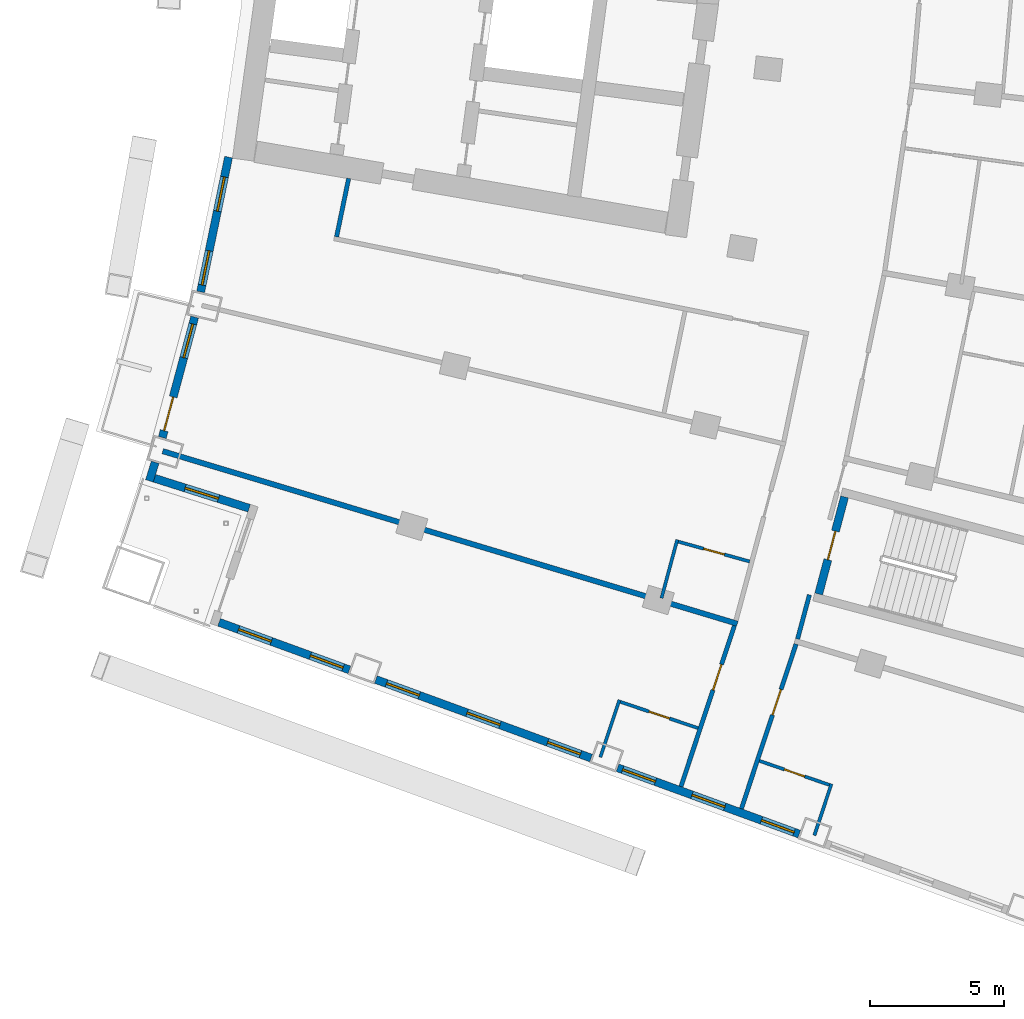
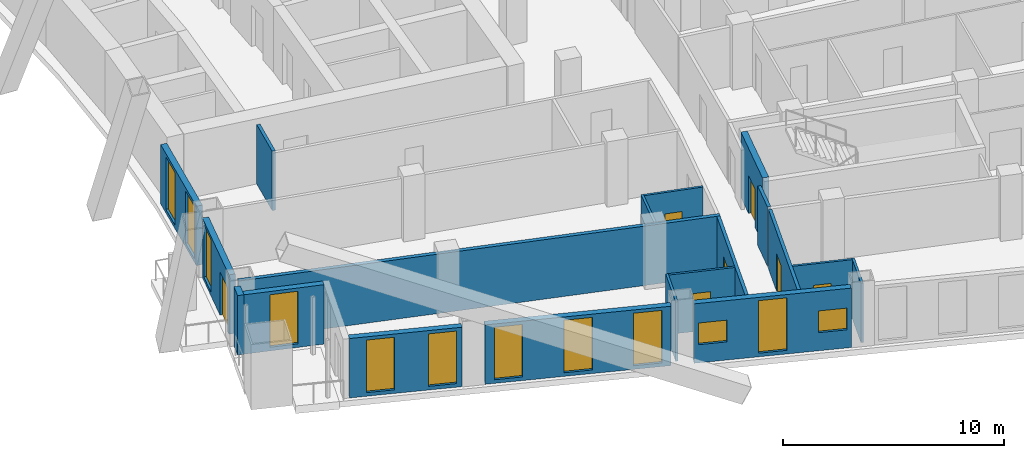
# One storey, part 13 of 25: 19 walls, 12 windows, 7 doors, 19 openings.
"""IFC4 building model written with IfcOpenShell, lengths in metres."""

from ifc_helpers import new_model, si_unit, direction, frame, frame_2d, origin, place, context, subcontext, project, spatial, rectangle, extrude, material, layer, layer_set, type_object, element, fill, save


model = new_model("IFC4")

# Units and contexts
model_context = context("Model", 3, precision=1e-05, world=origin(), true_north=direction((0.0, 1.0)))
body_context = subcontext(model_context, "Body", "Model", "MODEL_VIEW")
ifc_project = project(units=[si_unit("LENGTHUNIT", "METRE"), si_unit("AREAUNIT", "SQUARE_METRE"), si_unit("VOLUMEUNIT", "CUBIC_METRE"), si_unit("PLANEANGLEUNIT", "RADIAN"), si_unit("MASSUNIT", "GRAM", prefix="KILO")], contexts=[model_context])

# Site, building, storey
site_placement = place(None, origin())
site = spatial("IfcSite", under=ifc_project, at=site_placement, CompositionType="ELEMENT")
building_placement = place(site_placement, origin())
building = spatial("IfcBuilding", under=site, at=building_placement, Name="Alderwake Tower", CompositionType="ELEMENT")
storey_placement = place(building_placement, frame((0.0, 0.0, 114.800048828125)))
storey = spatial("IfcBuildingStorey", under=building, at=storey_placement, Name="L28", CompositionType="ELEMENT", Elevation=114.800048828125)

# Wall, opening, door
ifc_material_1 = material(Name="Concrete C70/85", Category="concrete")
ifc_layer_1 = layer(ifc_material_1, 0.300048828125)
ifc_layer_set_1 = layer_set([ifc_layer_1], Name="Core wall stair enclosure 300 C70-85")
wall_type_1 = type_object("IfcWallType", Name="Core wall stair enclosure 300 C70-85", PredefinedType="SHEAR", material=ifc_layer_set_1)
wall_1_placement = place(storey_placement, frame((36.89501953125, 27.923828125, 0.0), z_axis=(0.0, 0.0, 1.0), x_axis=(0.257350630826, 0.966318090907, 0.0)))
wall_1 = element("IfcWall", 1, at=wall_1_placement, inside=storey, type_object=wall_type_1, Name="Core wall CW.087", PredefinedType="SHEAR", context=body_context, shape_type="SweptSolid", body=[
    extrude(rectangle(XDim=3.75, YDim=0.300048828125, at=frame_2d((1.875, 0.0))), origin(), (0.0, 0.0, 1.0), 3.599853515625),
])
opening_1_placement = place(wall_1_placement, frame((1.324951171875, 0.0, 0.0)))
opening_1 = element("IfcOpeningElement", 2, at=opening_1_placement, cuts=wall_1, Name="Opening C065", PredefinedType="OPENING", context=body_context, shape_type="SweptSolid", body=[
    extrude(rectangle(XDim=1.10009765625, YDim=2.10009765625, at=frame_2d((0.550048828125, 1.050048828125))), frame((0.0, 0.159912109375, 0.0), z_axis=(0.0, -1.0, 0.0), x_axis=(1.0, 0.0, 0.0)), (0.0, 0.0, 1.0), 0.320068359375),
])
ifc_material_2 = material(Name="Steel-framed fire door leaf", Category="steel")
door_type_1 = type_object("IfcDoorType", Name="Core stair door 1100 fire-rated", OperationType="SINGLE_SWING_LEFT", PredefinedType="DOOR", material=ifc_material_2)
door_1_placement = place(opening_1_placement, origin())
door_1 = element("IfcDoor", 3, at=door_1_placement, inside=storey, type_object=door_type_1, Name="Stair door", OperationType="SINGLE_SWING_RIGHT", OverallHeight=2.10009765625, OverallWidth=1.10009765625, PredefinedType="DOOR", context=body_context, shape_type="SweptSolid", body=[
    extrude(rectangle(XDim=1.10009765625, YDim=2.10009765625, at=frame_2d((0.550048828125, 1.050048828125))), frame((0.0, 0.02490234375, 0.0), z_axis=(0.0, -1.0, 0.0), x_axis=(1.0, 0.0, 0.0)), (0.0, 0.0, 1.0), 0.050048828125),
])
fill(opening_1, door_1)

# Wall
ifc_material_3 = material(Name="Gypsum board on metal studs, rated")
ifc_layer_2 = layer(ifc_material_3, 0.159912109375)
ifc_layer_set_2 = layer_set([ifc_layer_2], Name="Corridor wall 160")
wall_type_2 = type_object("IfcWallType", Name="Corridor wall 160", PredefinedType="PARTITIONING", material=ifc_layer_set_2)
wall_2_placement = place(storey_placement, frame((19.35888671875, 43.430908203125, 0.0), z_axis=(0.0, 0.0, 1.0), x_axis=(-0.202554916658, -0.979270905183, 0.0)))
element("IfcWall", 4, at=wall_2_placement, inside=storey, type_object=wall_type_2, Name="WL/L28/W19", PredefinedType="PARTITIONING", context=body_context, shape_type="SweptSolid", body=[
    extrude(rectangle(XDim=2.229736328125, YDim=0.159912109375, at=frame_2d((1.11474609375, 0.0))), origin(), (0.0, 0.0, 1.0), 3.280029296875),
])

# Wall, opening, door
wall_3_placement = place(storey_placement, frame((31.7548828125, 20.739013671875, 0.0), z_axis=(0.0, 0.0, 1.0), x_axis=(0.31554473692, 0.948910701279, 0.0)))
wall_3 = element("IfcWall", 5, at=wall_3_placement, inside=storey, type_object=wall_type_2, Name="WL/L28/W21", PredefinedType="PARTITIONING", context=body_context, shape_type="SweptSolid", body=[
    extrude(rectangle(XDim=6.327392578125, YDim=0.159912109375, at=frame_2d((3.16357421875, 0.0))), origin(), (0.0, 0.0, 1.0), 3.280029296875),
])
opening_2_placement = place(wall_3_placement, frame((3.799072265625, 0.0, 0.0)))
opening_2 = element("IfcOpeningElement", 6, at=opening_2_placement, cuts=wall_3, Name="Opening R08-U11.1", PredefinedType="OPENING", context=body_context, shape_type="SweptSolid", body=[
    extrude(rectangle(XDim=1.0, YDim=2.10009765625, at=frame_2d((0.5, 1.050048828125))), frame((0.0, 0.08984375, 0.0), z_axis=(0.0, -1.0, 0.0), x_axis=(1.0, 0.0, 0.0)), (0.0, 0.0, 1.0), 0.179931640625),
])
ifc_material_4 = material(Name="Solid timber leaf in steel frame", Category="steel")
door_type_2 = type_object("IfcDoorType", Name="Flat entrance door 1000 fire-rated", OperationType="SINGLE_SWING_LEFT", PredefinedType="DOOR", material=ifc_material_4)
door_2_placement = place(opening_2_placement, origin())
door_2 = element("IfcDoor", 7, at=door_2_placement, inside=storey, type_object=door_type_2, Name="DR/L28/U11.1", OperationType="SINGLE_SWING_LEFT", OverallHeight=2.10009765625, OverallWidth=1.0, PredefinedType="DOOR", context=body_context, shape_type="SweptSolid", body=[
    extrude(rectangle(XDim=1.0, YDim=2.10009765625, at=frame_2d((0.5, 1.050048828125))), frame((0.0, 0.02490234375, 0.0), z_axis=(0.0, -1.0, 0.0), x_axis=(1.0, 0.0, 0.0)), (0.0, 0.0, 1.0), 0.050048828125),
])
fill(opening_2, door_2)

wall_4_placement = place(storey_placement, frame((36.049560546875, 26.052978515625, 0.0), z_axis=(0.0, 0.0, 1.0), x_axis=(-0.315151894598, -0.949041244273, 0.0)))
wall_4 = element("IfcWall", 8, at=wall_4_placement, inside=storey, type_object=wall_type_2, Name="WL/L28/W23", PredefinedType="PARTITIONING", context=body_context, shape_type="SweptSolid", body=[
    extrude(rectangle(XDim=6.468505859375, YDim=0.159912109375, at=frame_2d((3.234375, 0.0))), origin(), (0.0, 0.0, 1.0), 3.280029296875),
])
opening_3_placement = place(wall_4_placement, frame((1.7822265625, 0.0, 0.0)))
opening_3 = element("IfcOpeningElement", 9, at=opening_3_placement, cuts=wall_4, Name="Opening R08-U03.1", PredefinedType="OPENING", context=body_context, shape_type="SweptSolid", body=[
    extrude(rectangle(XDim=1.0, YDim=2.10009765625, at=frame_2d((0.5, 1.050048828125))), frame((0.0, 0.08984375, 0.0), z_axis=(0.0, -1.0, 0.0), x_axis=(1.0, 0.0, 0.0)), (0.0, 0.0, 1.0), 0.179931640625),
])
door_3_placement = place(opening_3_placement, origin())
door_3 = element("IfcDoor", 10, at=door_3_placement, inside=storey, type_object=door_type_2, Name="DR/L28/U03.1", OperationType="SINGLE_SWING_LEFT", OverallHeight=2.10009765625, OverallWidth=1.0, PredefinedType="DOOR", context=body_context, shape_type="SweptSolid", body=[
    extrude(rectangle(XDim=1.0, YDim=2.10009765625, at=frame_2d((0.5, 1.050048828125))), frame((0.0, 0.02490234375, 0.0), z_axis=(0.0, -1.0, 0.0), x_axis=(1.0, 0.0, 0.0)), (0.0, 0.0, 1.0), 0.050048828125),
])
fill(opening_3, door_3)

# Walls
wall_5_placement = place(storey_placement, frame((36.10693359375, 26.24462890625, 0.0), z_axis=(0.0, 0.0, 1.0), x_axis=(0.259346865847, 0.965784242559, 0.0)))
element("IfcWall", 11, at=wall_5_placement, inside=storey, type_object=wall_type_2, Name="WL/L28/W27", PredefinedType="PARTITIONING", context=body_context, shape_type="SweptSolid", body=[
    extrude(rectangle(XDim=1.704833984375, YDim=0.159912109375, at=frame_2d((0.8525390625, 0.0))), origin(), (0.0, 0.0, 1.0), 3.280029296875),
])
ifc_material_5 = material(Name="Precast concrete C50/60 spandrel panel", Category="concrete")
ifc_layer_3 = layer(ifc_material_5, 0.300048828125)
ifc_layer_set_3 = layer_set([ifc_layer_3], Name="External wall EW1 Precast concrete C50/60 spandrel")
wall_type_3 = type_object("IfcWallType", Name="External wall EW1 Precast concrete C50/60 spandrel", PredefinedType="SOLIDWALL", material=ifc_layer_set_3)
wall_6_placement = place(storey_placement, frame((12.14013671875, 32.83837890625, 0.0), z_axis=(0.0, 0.0, 1.0), x_axis=(-0.294604532955, -0.955619259518, 0.0)))
element("IfcWall", 12, at=wall_6_placement, inside=storey, type_object=wall_type_3, Name="External wall 1", PredefinedType="SOLIDWALL", context=body_context, shape_type="SweptSolid", body=[
    extrude(rectangle(XDim=0.7275390625, YDim=0.300048828125, at=frame_2d((0.36376953125, 0.0))), origin(), (0.0, 0.0, 1.0), 3.280029296875),
])

# Wall, openings, windows
wall_7_placement = place(storey_placement, frame((14.878173828125, 44.223388671875, 0.0), z_axis=(0.0, 0.0, 1.0), x_axis=(-0.202723539143, -0.979236011734, 0.0)))
wall_7 = element("IfcWall", 13, at=wall_7_placement, inside=storey, type_object=wall_type_3, Name="External wall 35", PredefinedType="SOLIDWALL", context=body_context, shape_type="SweptSolid", body=[
    extrude(rectangle(XDim=5.134033203125, YDim=0.300048828125, at=frame_2d((2.56689453125, 0.0))), origin(), (0.0, 0.0, 1.0), 3.280029296875),
])
opening_4_placement = place(wall_7_placement, frame((0.75634765625, 0.0, 0.199951171875)))
opening_4 = element("IfcOpeningElement", 14, at=opening_4_placement, cuts=wall_7, Name="Opening W1", PredefinedType="OPENING", context=body_context, shape_type="SweptSolid", body=[
    extrude(rectangle(XDim=1.300048828125, YDim=2.89990234375, at=frame_2d((0.64990234375, 1.449951171875))), frame((0.0, 0.159912109375, 0.0), z_axis=(0.0, -1.0, 0.0), x_axis=(1.0, 0.0, 0.0)), (0.0, 0.0, 1.0), 0.320068359375),
])
opening_5_placement = place(wall_7_placement, frame((3.569091796875, 0.0, 0.199951171875)))
opening_5 = element("IfcOpeningElement", 15, at=opening_5_placement, cuts=wall_7, Name="Opening W1", PredefinedType="OPENING", context=body_context, shape_type="SweptSolid", body=[
    extrude(rectangle(XDim=1.300048828125, YDim=2.89990234375, at=frame_2d((0.64990234375, 1.449951171875))), frame((0.0, 0.159912109375, 0.0), z_axis=(0.0, -1.0, 0.0), x_axis=(1.0, 0.0, 0.0)), (0.0, 0.0, 1.0), 0.320068359375),
])
ifc_material_6 = material(Name="Bronze tinted glass in aluminium frame", Category="aluminium")
window_type_1 = type_object("IfcWindowType", Name="Window W1 tall fixed and vent", PartitioningType="DOUBLE_PANEL_VERTICAL", PredefinedType="WINDOW", material=ifc_material_6)
window_1_placement = place(opening_4_placement, origin())
window_1 = element("IfcWindow", 16, at=window_1_placement, inside=storey, type_object=window_type_1, Name="Window W1 tall fixed and vent", OverallHeight=2.89990234375, OverallWidth=1.300048828125, PartitioningType="DOUBLE_PANEL_VERTICAL", PredefinedType="WINDOW", context=body_context, shape_type="SweptSolid", body=[
    extrude(rectangle(XDim=1.300048828125, YDim=2.89990234375, at=frame_2d((0.64990234375, 1.449951171875))), frame((0.0, 0.030029296875, 0.0), z_axis=(0.0, -1.0, 0.0), x_axis=(1.0, 0.0, 0.0)), (0.0, 0.0, 1.0), 0.06005859375),
])
fill(opening_4, window_1)
window_2_placement = place(opening_5_placement, origin())
window_2 = element("IfcWindow", 17, at=window_2_placement, inside=storey, type_object=window_type_1, Name="Window W1 tall fixed and vent", OverallHeight=2.89990234375, OverallWidth=1.300048828125, PartitioningType="DOUBLE_PANEL_VERTICAL", PredefinedType="WINDOW", context=body_context, shape_type="SweptSolid", body=[
    extrude(rectangle(XDim=1.300048828125, YDim=2.89990234375, at=frame_2d((0.64990234375, 1.449951171875))), frame((0.0, 0.030029296875, 0.0), z_axis=(0.0, -1.0, 0.0), x_axis=(1.0, 0.0, 0.0)), (0.0, 0.0, 1.0), 0.06005859375),
])
fill(opening_5, window_2)

# Wall, openings, door, window
wall_8_placement = place(storey_placement, frame((13.61328125, 38.254150390625, 0.0), z_axis=(0.0, 0.0, 1.0), x_axis=(-0.259468933642, -0.965751454814, 0.0)))
wall_8 = element("IfcWall", 18, at=wall_8_placement, inside=storey, type_object=wall_type_3, Name="External wall 36", PredefinedType="SOLIDWALL", context=body_context, shape_type="SweptSolid", body=[
    extrude(rectangle(XDim=4.65087890625, YDim=0.300048828125, at=frame_2d((2.325439453125, 0.0))), origin(), (0.0, 0.0, 1.0), 3.280029296875),
])
opening_6_placement = place(wall_8_placement, frame((0.26708984375, 0.0, 0.199951171875)))
opening_6 = element("IfcOpeningElement", 19, at=opening_6_placement, cuts=wall_8, Name="Opening W1", PredefinedType="OPENING", context=body_context, shape_type="SweptSolid", body=[
    extrude(rectangle(XDim=1.300048828125, YDim=2.89990234375, at=frame_2d((0.64990234375, 1.449951171875))), frame((0.0, 0.159912109375, 0.0), z_axis=(0.0, -1.0, 0.0), x_axis=(1.0, 0.0, 0.0)), (0.0, 0.0, 1.0), 0.320068359375),
])
opening_7_placement = place(wall_8_placement, frame((3.083984375, 0.0, 0.0)))
opening_7 = element("IfcOpeningElement", 20, at=opening_7_placement, cuts=wall_8, Name="Opening D16", PredefinedType="OPENING", context=body_context, shape_type="SweptSolid", body=[
    extrude(rectangle(XDim=1.300048828125, YDim=2.39990234375, at=frame_2d((0.64990234375, 1.199951171875))), frame((0.0, 0.159912109375, 0.0), z_axis=(0.0, -1.0, 0.0), x_axis=(1.0, 0.0, 0.0)), (0.0, 0.0, 1.0), 0.320068359375),
])
ifc_material_7 = material(Name="Bronze tinted glass in aluminium frame", Category="aluminium")
door_type_3 = type_object("IfcDoorType", Name="Balcony door BD sliding", OperationType="SLIDING_TO_LEFT", PredefinedType="DOOR", material=ifc_material_7)
door_4_placement = place(opening_7_placement, origin())
door_4 = element("IfcDoor", 21, at=door_4_placement, inside=storey, type_object=door_type_3, Name="Door D16", OperationType="SLIDING_TO_LEFT", OverallHeight=2.39990234375, OverallWidth=1.300048828125, PredefinedType="DOOR", context=body_context, shape_type="SweptSolid", body=[
    extrude(rectangle(XDim=1.300048828125, YDim=2.39990234375, at=frame_2d((0.64990234375, 1.199951171875))), frame((0.0, 0.02490234375, 0.0), z_axis=(0.0, -1.0, 0.0), x_axis=(1.0, 0.0, 0.0)), (0.0, 0.0, 1.0), 0.050048828125),
])
fill(opening_7, door_4)
window_3_placement = place(opening_6_placement, origin())
window_3 = element("IfcWindow", 22, at=window_3_placement, inside=storey, type_object=window_type_1, Name="Window W1 tall fixed and vent", OverallHeight=2.89990234375, OverallWidth=1.300048828125, PartitioningType="DOUBLE_PANEL_VERTICAL", PredefinedType="WINDOW", context=body_context, shape_type="SweptSolid", body=[
    extrude(rectangle(XDim=1.300048828125, YDim=2.89990234375, at=frame_2d((0.64990234375, 1.449951171875))), frame((0.0, 0.030029296875, 0.0), z_axis=(0.0, -1.0, 0.0), x_axis=(1.0, 0.0, 0.0)), (0.0, 0.0, 1.0), 0.06005859375),
])
fill(opening_6, window_3)

# Wall, opening, window
ifc_material_8 = material(Name="Bronze metal cladding on lightweight framing")
ifc_layer_4 = layer(ifc_material_8, 0.300048828125)
ifc_layer_set_4 = layer_set([ifc_layer_4], Name="External wall EW2 bronze metal cladding")
wall_type_4 = type_object("IfcWallType", Name="External wall EW2 bronze metal cladding", PredefinedType="SOLIDWALL", material=ifc_layer_set_4)
wall_9_placement = place(storey_placement, frame((12.113037109375, 32.2412109375, 0.0), z_axis=(0.0, 0.0, 1.0), x_axis=(0.953458128271, -0.301525451054, 0.0)))
wall_9 = element("IfcWall", 23, at=wall_9_placement, inside=storey, type_object=wall_type_4, Name="External wall 2", PredefinedType="SOLIDWALL", context=body_context, shape_type="SweptSolid", body=[
    extrude(rectangle(XDim=3.705810546875, YDim=0.300048828125, at=frame_2d((1.85302734375, 0.0))), origin(), (0.0, 0.0, 1.0), 3.280029296875),
])
opening_8_placement = place(wall_9_placement, frame((1.202880859375, 0.0, 0.199951171875)))
opening_8 = element("IfcOpeningElement", 24, at=opening_8_placement, cuts=wall_9, Name="Opening W1", PredefinedType="OPENING", context=body_context, shape_type="SweptSolid", body=[
    extrude(rectangle(XDim=1.300048828125, YDim=2.89990234375, at=frame_2d((0.64990234375, 1.449951171875))), frame((0.0, 0.159912109375, 0.0), z_axis=(0.0, -1.0, 0.0), x_axis=(1.0, 0.0, 0.0)), (0.0, 0.0, 1.0), 0.320068359375),
])
window_4_placement = place(opening_8_placement, origin())
window_4 = element("IfcWindow", 25, at=window_4_placement, inside=storey, type_object=window_type_1, Name="Window W1 tall fixed and vent", OverallHeight=2.89990234375, OverallWidth=1.300048828125, PartitioningType="DOUBLE_PANEL_VERTICAL", PredefinedType="WINDOW", context=body_context, shape_type="SweptSolid", body=[
    extrude(rectangle(XDim=1.300048828125, YDim=2.89990234375, at=frame_2d((0.64990234375, 1.449951171875))), frame((0.0, 0.030029296875, 0.0), z_axis=(0.0, -1.0, 0.0), x_axis=(1.0, 0.0, 0.0)), (0.0, 0.0, 1.0), 0.06005859375),
])
fill(opening_8, window_4)

# Wall, openings, windows
wall_10_placement = place(storey_placement, frame((14.523681640625, 26.86865234375, 0.0), z_axis=(0.0, 0.0, 1.0), x_axis=(0.939378067131, -0.342883138974, 0.0)))
wall_10 = element("IfcWall", 26, at=wall_10_placement, inside=storey, type_object=wall_type_4, Name="External wall 4", PredefinedType="SOLIDWALL", context=body_context, shape_type="SweptSolid", body=[
    extrude(rectangle(XDim=5.17431640625, YDim=0.300048828125, at=frame_2d((2.587158203125, 0.0))), origin(), (0.0, 0.0, 1.0), 3.280029296875),
])
opening_9_placement = place(wall_10_placement, frame((0.775390625, 0.0, 0.199951171875)))
opening_9 = element("IfcOpeningElement", 27, at=opening_9_placement, cuts=wall_10, Name="Opening W1", PredefinedType="OPENING", context=body_context, shape_type="SweptSolid", body=[
    extrude(rectangle(XDim=1.300048828125, YDim=2.89990234375, at=frame_2d((0.64990234375, 1.449951171875))), frame((0.0, 0.159912109375, 0.0), z_axis=(0.0, -1.0, 0.0), x_axis=(1.0, 0.0, 0.0)), (0.0, 0.0, 1.0), 0.320068359375),
])
opening_10_placement = place(wall_10_placement, frame((3.626220703125, 0.0, 0.199951171875)))
opening_10 = element("IfcOpeningElement", 28, at=opening_10_placement, cuts=wall_10, Name="Opening W1", PredefinedType="OPENING", context=body_context, shape_type="SweptSolid", body=[
    extrude(rectangle(XDim=1.300048828125, YDim=2.89990234375, at=frame_2d((0.64990234375, 1.449951171875))), frame((0.0, 0.159912109375, 0.0), z_axis=(0.0, -1.0, 0.0), x_axis=(1.0, 0.0, 0.0)), (0.0, 0.0, 1.0), 0.320068359375),
])
window_5_placement = place(opening_9_placement, origin())
window_5 = element("IfcWindow", 29, at=window_5_placement, inside=storey, type_object=window_type_1, Name="Window W1 tall fixed and vent", OverallHeight=2.89990234375, OverallWidth=1.300048828125, PartitioningType="DOUBLE_PANEL_VERTICAL", PredefinedType="WINDOW", context=body_context, shape_type="SweptSolid", body=[
    extrude(rectangle(XDim=1.300048828125, YDim=2.89990234375, at=frame_2d((0.64990234375, 1.449951171875))), frame((0.0, 0.030029296875, 0.0), z_axis=(0.0, -1.0, 0.0), x_axis=(1.0, 0.0, 0.0)), (0.0, 0.0, 1.0), 0.06005859375),
])
fill(opening_9, window_5)
window_6_placement = place(opening_10_placement, origin())
window_6 = element("IfcWindow", 30, at=window_6_placement, inside=storey, type_object=window_type_1, Name="Window W1 tall fixed and vent", OverallHeight=2.89990234375, OverallWidth=1.300048828125, PartitioningType="DOUBLE_PANEL_VERTICAL", PredefinedType="WINDOW", context=body_context, shape_type="SweptSolid", body=[
    extrude(rectangle(XDim=1.300048828125, YDim=2.89990234375, at=frame_2d((0.64990234375, 1.449951171875))), frame((0.0, 0.030029296875, 0.0), z_axis=(0.0, -1.0, 0.0), x_axis=(1.0, 0.0, 0.0)), (0.0, 0.0, 1.0), 0.06005859375),
])
fill(opening_10, window_6)

wall_11_placement = place(storey_placement, frame((20.375244140625, 24.73291015625, 0.0), z_axis=(0.0, 0.0, 1.0), x_axis=(0.939364770023, -0.342919566137, 0.0)))
wall_11 = element("IfcWall", 31, at=wall_11_placement, inside=storey, type_object=wall_type_4, Name="External wall 5", PredefinedType="SOLIDWALL", context=body_context, shape_type="SweptSolid", body=[
    extrude(rectangle(XDim=8.54541015625, YDim=0.300048828125, at=frame_2d((4.272705078125, 0.0))), origin(), (0.0, 0.0, 1.0), 3.280029296875),
])
opening_11_placement = place(wall_11_placement, frame((0.422607421875, 0.0, 0.199951171875)))
opening_11 = element("IfcOpeningElement", 32, at=opening_11_placement, cuts=wall_11, Name="Opening W1", PredefinedType="OPENING", context=body_context, shape_type="SweptSolid", body=[
    extrude(rectangle(XDim=1.300048828125, YDim=2.89990234375, at=frame_2d((0.64990234375, 1.449951171875))), frame((0.0, 0.159912109375, 0.0), z_axis=(0.0, -1.0, 0.0), x_axis=(1.0, 0.0, 0.0)), (0.0, 0.0, 1.0), 0.320068359375),
])
opening_12_placement = place(wall_11_placement, frame((3.622802734375, 0.0, 0.199951171875)))
opening_12 = element("IfcOpeningElement", 33, at=opening_12_placement, cuts=wall_11, Name="Opening W1", PredefinedType="OPENING", context=body_context, shape_type="SweptSolid", body=[
    extrude(rectangle(XDim=1.300048828125, YDim=2.89990234375, at=frame_2d((0.64990234375, 1.449951171875))), frame((0.0, 0.159912109375, 0.0), z_axis=(0.0, -1.0, 0.0), x_axis=(1.0, 0.0, 0.0)), (0.0, 0.0, 1.0), 0.320068359375),
])
opening_13_placement = place(wall_11_placement, frame((6.82275390625, 0.0, 0.199951171875)))
opening_13 = element("IfcOpeningElement", 34, at=opening_13_placement, cuts=wall_11, Name="Opening W1", PredefinedType="OPENING", context=body_context, shape_type="SweptSolid", body=[
    extrude(rectangle(XDim=1.300048828125, YDim=2.89990234375, at=frame_2d((0.64990234375, 1.449951171875))), frame((0.0, 0.159912109375, 0.0), z_axis=(0.0, -1.0, 0.0), x_axis=(1.0, 0.0, 0.0)), (0.0, 0.0, 1.0), 0.320068359375),
])
window_7_placement = place(opening_11_placement, origin())
window_7 = element("IfcWindow", 35, at=window_7_placement, inside=storey, type_object=window_type_1, Name="Window W1 tall fixed and vent", OverallHeight=2.89990234375, OverallWidth=1.300048828125, PartitioningType="DOUBLE_PANEL_VERTICAL", PredefinedType="WINDOW", context=body_context, shape_type="SweptSolid", body=[
    extrude(rectangle(XDim=1.300048828125, YDim=2.89990234375, at=frame_2d((0.64990234375, 1.449951171875))), frame((0.0, 0.030029296875, 0.0), z_axis=(0.0, -1.0, 0.0), x_axis=(1.0, 0.0, 0.0)), (0.0, 0.0, 1.0), 0.06005859375),
])
fill(opening_11, window_7)
window_8_placement = place(opening_12_placement, origin())
window_8 = element("IfcWindow", 36, at=window_8_placement, inside=storey, type_object=window_type_1, Name="Window W1 tall fixed and vent", OverallHeight=2.89990234375, OverallWidth=1.300048828125, PartitioningType="DOUBLE_PANEL_VERTICAL", PredefinedType="WINDOW", context=body_context, shape_type="SweptSolid", body=[
    extrude(rectangle(XDim=1.300048828125, YDim=2.89990234375, at=frame_2d((0.64990234375, 1.449951171875))), frame((0.0, 0.030029296875, 0.0), z_axis=(0.0, -1.0, 0.0), x_axis=(1.0, 0.0, 0.0)), (0.0, 0.0, 1.0), 0.06005859375),
])
fill(opening_12, window_8)
window_9_placement = place(opening_13_placement, origin())
window_9 = element("IfcWindow", 37, at=window_9_placement, inside=storey, type_object=window_type_1, Name="Window W1 tall fixed and vent", OverallHeight=2.89990234375, OverallWidth=1.300048828125, PartitioningType="DOUBLE_PANEL_VERTICAL", PredefinedType="WINDOW", context=body_context, shape_type="SweptSolid", body=[
    extrude(rectangle(XDim=1.300048828125, YDim=2.89990234375, at=frame_2d((0.64990234375, 1.449951171875))), frame((0.0, 0.030029296875, 0.0), z_axis=(0.0, -1.0, 0.0), x_axis=(1.0, 0.0, 0.0)), (0.0, 0.0, 1.0), 0.06005859375),
])
fill(opening_13, window_9)

wall_12_placement = place(storey_placement, frame((29.39306640625, 21.44091796875, 0.0), z_axis=(0.0, 0.0, 1.0), x_axis=(0.939375665231, -0.342889719256, 0.0)))
wall_12 = element("IfcWall", 38, at=wall_12_placement, inside=storey, type_object=wall_type_4, Name="External wall 6", PredefinedType="SOLIDWALL", context=body_context, shape_type="SweptSolid", body=[
    extrude(rectangle(XDim=7.212646484375, YDim=0.300048828125, at=frame_2d((3.6064453125, 0.0))), origin(), (0.0, 0.0, 1.0), 3.280029296875),
])
opening_14_placement = place(wall_12_placement, frame((0.20068359375, 0.0, 1.0)))
opening_14 = element("IfcOpeningElement", 39, at=opening_14_placement, cuts=wall_12, Name="Opening W2", PredefinedType="OPENING", context=body_context, shape_type="SweptSolid", body=[
    extrude(rectangle(XDim=1.300048828125, YDim=1.199951171875, at=frame_2d((0.64990234375, 0.60009765625))), frame((0.0, 0.159912109375, 0.0), z_axis=(0.0, -1.0, 0.0), x_axis=(1.0, 0.0, 0.0)), (0.0, 0.0, 1.0), 0.320068359375),
])
opening_15_placement = place(wall_12_placement, frame((2.956298828125, 0.0, 0.199951171875)))
opening_15 = element("IfcOpeningElement", 40, at=opening_15_placement, cuts=wall_12, Name="Opening W1", PredefinedType="OPENING", context=body_context, shape_type="SweptSolid", body=[
    extrude(rectangle(XDim=1.300048828125, YDim=2.89990234375, at=frame_2d((0.64990234375, 1.449951171875))), frame((0.0, 0.159912109375, 0.0), z_axis=(0.0, -1.0, 0.0), x_axis=(1.0, 0.0, 0.0)), (0.0, 0.0, 1.0), 0.320068359375),
])
opening_16_placement = place(wall_12_placement, frame((5.7119140625, 0.0, 1.0)))
opening_16 = element("IfcOpeningElement", 41, at=opening_16_placement, cuts=wall_12, Name="Opening W2", PredefinedType="OPENING", context=body_context, shape_type="SweptSolid", body=[
    extrude(rectangle(XDim=1.300048828125, YDim=1.199951171875, at=frame_2d((0.64990234375, 0.60009765625))), frame((0.0, 0.159912109375, 0.0), z_axis=(0.0, -1.0, 0.0), x_axis=(1.0, 0.0, 0.0)), (0.0, 0.0, 1.0), 0.320068359375),
])
window_10_placement = place(opening_15_placement, origin())
window_10 = element("IfcWindow", 42, at=window_10_placement, inside=storey, type_object=window_type_1, Name="Window W1 tall fixed and vent", OverallHeight=2.89990234375, OverallWidth=1.300048828125, PartitioningType="DOUBLE_PANEL_VERTICAL", PredefinedType="WINDOW", context=body_context, shape_type="SweptSolid", body=[
    extrude(rectangle(XDim=1.300048828125, YDim=2.89990234375, at=frame_2d((0.64990234375, 1.449951171875))), frame((0.0, 0.030029296875, 0.0), z_axis=(0.0, -1.0, 0.0), x_axis=(1.0, 0.0, 0.0)), (0.0, 0.0, 1.0), 0.06005859375),
])
fill(opening_15, window_10)
ifc_material_9 = material(Name="Bronze tinted glass in aluminium frame", Category="aluminium")
window_type_2 = type_object("IfcWindowType", Name="Window W2 kitchen and bath", PartitioningType="SINGLE_PANEL", PredefinedType="WINDOW", material=ifc_material_9)
window_11_placement = place(opening_14_placement, origin())
window_11 = element("IfcWindow", 43, at=window_11_placement, inside=storey, type_object=window_type_2, Name="Window W2 kitchen and bath", OverallHeight=1.199951171875, OverallWidth=1.300048828125, PartitioningType="SINGLE_PANEL", PredefinedType="WINDOW", context=body_context, shape_type="SweptSolid", body=[
    extrude(rectangle(XDim=1.300048828125, YDim=1.199951171875, at=frame_2d((0.64990234375, 0.60009765625))), frame((0.0, 0.030029296875, 0.0), z_axis=(0.0, -1.0, 0.0), x_axis=(1.0, 0.0, 0.0)), (0.0, 0.0, 1.0), 0.06005859375),
])
fill(opening_14, window_11)
window_12_placement = place(opening_16_placement, origin())
window_12 = element("IfcWindow", 44, at=window_12_placement, inside=storey, type_object=window_type_2, Name="Window W2 kitchen and bath", OverallHeight=1.199951171875, OverallWidth=1.300048828125, PartitioningType="SINGLE_PANEL", PredefinedType="WINDOW", context=body_context, shape_type="SweptSolid", body=[
    extrude(rectangle(XDim=1.300048828125, YDim=1.199951171875, at=frame_2d((0.64990234375, 0.60009765625))), frame((0.0, 0.030029296875, 0.0), z_axis=(0.0, -1.0, 0.0), x_axis=(1.0, 0.0, 0.0)), (0.0, 0.0, 1.0), 0.06005859375),
])
fill(opening_16, window_12)

# Walls
ifc_material_10 = material(Name="Dense block masonry wall", Category="masonry")
ifc_layer_5 = layer(ifc_material_10, 0.199951171875)
ifc_layer_set_5 = layer_set([ifc_layer_5], Name="Party wall 200")
wall_type_5 = type_object("IfcWallType", Name="Party wall 200", PredefinedType="SOLIDWALL", material=ifc_layer_set_5)
wall_13_placement = place(storey_placement, frame((33.859619140625, 26.81494140625, 0.0), z_axis=(0.0, 0.0, 1.0), x_axis=(-0.95775179957, 0.287596054251, 0.0)))
element("IfcWall", 45, at=wall_13_placement, inside=storey, type_object=wall_type_5, Name="WL/L28/W03", PredefinedType="SOLIDWALL", context=body_context, shape_type="SweptSolid", body=[
    extrude(rectangle(XDim=22.382080078125, YDim=0.199951171875, at=frame_2d((11.19091796875, 0.0))), origin(), (0.0, 0.0, 1.0), 3.280029296875),
])
ifc_material_11 = material(Name="Moisture resistant gypsum board on metal studs")
ifc_layer_6 = layer(ifc_material_11, 0.1201171875)
ifc_layer_set_6 = layer_set([ifc_layer_6], Name="Wet room partition 120")
wall_type_6 = type_object("IfcWallType", Name="Wet room partition 120", PredefinedType="PARTITIONING", material=ifc_layer_set_6)
wall_14_placement = place(storey_placement, frame((29.4609375, 23.975830078125, 0.0), z_axis=(0.0, 0.0, 1.0), x_axis=(-0.31580536125, -0.948823995168, 0.0)))
element("IfcWall", 46, at=wall_14_placement, inside=storey, type_object=wall_type_6, Name="WL/L28/W45", PredefinedType="PARTITIONING", context=body_context, shape_type="SweptSolid", body=[
    extrude(rectangle(XDim=2.25439453125, YDim=0.1201171875, at=frame_2d((1.127197265625, 0.0))), origin(), (0.0, 0.0, 1.0), 3.280029296875),
])
wall_15_placement = place(storey_placement, frame((31.61767578125, 29.949951171875, 0.0), z_axis=(0.0, 0.0, 1.0), x_axis=(-0.259713776358, -0.965685639517, 0.0)))
element("IfcWall", 47, at=wall_15_placement, inside=storey, type_object=wall_type_6, Name="WL/L28/W47", PredefinedType="PARTITIONING", context=body_context, shape_type="SweptSolid", body=[
    extrude(rectangle(XDim=2.2587890625, YDim=0.1201171875, at=frame_2d((1.12939453125, 0.0))), origin(), (0.0, 0.0, 1.0), 3.280029296875),
])

# Wall, opening, door
wall_16_placement = place(storey_placement, frame((32.396240234375, 22.918701171875, 0.0), z_axis=(0.0, 0.0, 1.0), x_axis=(-0.947164130145, 0.320749295505, 0.0)))
wall_16 = element("IfcWall", 48, at=wall_16_placement, inside=storey, type_object=wall_type_6, Name="WL/L28/W48", PredefinedType="PARTITIONING", context=body_context, shape_type="SweptSolid", body=[
    extrude(rectangle(XDim=3.05908203125, YDim=0.1201171875, at=frame_2d((1.529541015625, 0.0))), origin(), (0.0, 0.0, 1.0), 3.280029296875),
])
opening_17_placement = place(wall_16_placement, frame((1.12939453125, 0.0, 0.0)))
opening_17 = element("IfcOpeningElement", 49, at=opening_17_placement, cuts=wall_16, Name="Opening R08-U11.2", PredefinedType="OPENING", context=body_context, shape_type="SweptSolid", body=[
    extrude(rectangle(XDim=0.800048828125, YDim=2.10009765625, at=frame_2d((0.39990234375, 1.050048828125))), frame((0.0, 0.070068359375, 0.0), z_axis=(0.0, -1.0, 0.0), x_axis=(1.0, 0.0, 0.0)), (0.0, 0.0, 1.0), 0.14013671875),
])
ifc_material_12 = material(Name="Painted timber leaf", Category="wood")
door_type_4 = type_object("IfcDoorType", Name="Bathroom door 800", OperationType="SINGLE_SWING_LEFT", PredefinedType="DOOR", material=ifc_material_12)
door_5_placement = place(opening_17_placement, origin())
door_5 = element("IfcDoor", 50, at=door_5_placement, inside=storey, type_object=door_type_4, Name="DR/L28/U11.2", OperationType="SINGLE_SWING_LEFT", OverallHeight=2.10009765625, OverallWidth=0.800048828125, PredefinedType="DOOR", context=body_context, shape_type="SweptSolid", body=[
    extrude(rectangle(XDim=0.800048828125, YDim=2.10009765625, at=frame_2d((0.39990234375, 1.050048828125))), frame((0.0, 0.02490234375, 0.0), z_axis=(0.0, -1.0, 0.0), x_axis=(1.0, 0.0, 0.0)), (0.0, 0.0, 1.0), 0.050048828125),
])
fill(opening_17, door_5)

wall_17_placement = place(storey_placement, frame((34.31787109375, 29.136474609375, 0.0), z_axis=(0.0, 0.0, 1.0), x_axis=(-0.963407530319, 0.268040912036, 0.0)))
wall_17 = element("IfcWall", 51, at=wall_17_placement, inside=storey, type_object=wall_type_6, Name="WL/L28/W49", PredefinedType="PARTITIONING", context=body_context, shape_type="SweptSolid", body=[
    extrude(rectangle(XDim=2.759033203125, YDim=0.1201171875, at=frame_2d((1.37939453125, 0.0))), origin(), (0.0, 0.0, 1.0), 3.280029296875),
])
opening_18_placement = place(wall_17_placement, frame((0.9794921875, 0.0, 0.0)))
opening_18 = element("IfcOpeningElement", 52, at=opening_18_placement, cuts=wall_17, Name="Opening R08-U12.2", PredefinedType="OPENING", context=body_context, shape_type="SweptSolid", body=[
    extrude(rectangle(XDim=0.800048828125, YDim=2.10009765625, at=frame_2d((0.39990234375, 1.050048828125))), frame((0.0, 0.070068359375, 0.0), z_axis=(0.0, -1.0, 0.0), x_axis=(1.0, 0.0, 0.0)), (0.0, 0.0, 1.0), 0.14013671875),
])
door_6_placement = place(opening_18_placement, origin())
door_6 = element("IfcDoor", 53, at=door_6_placement, inside=storey, type_object=door_type_4, Name="DR/L28/U12.2", OperationType="SINGLE_SWING_LEFT", OverallHeight=2.10009765625, OverallWidth=0.800048828125, PredefinedType="DOOR", context=body_context, shape_type="SweptSolid", body=[
    extrude(rectangle(XDim=0.800048828125, YDim=2.10009765625, at=frame_2d((0.39990234375, 1.050048828125))), frame((0.0, 0.02490234375, 0.0), z_axis=(0.0, -1.0, 0.0), x_axis=(1.0, 0.0, 0.0)), (0.0, 0.0, 1.0), 0.050048828125),
])
fill(opening_18, door_6)

# Wall
wall_18_placement = place(storey_placement, frame((36.735107421875, 18.9208984375, 0.0), z_axis=(0.0, 0.0, 1.0), x_axis=(0.315212330495, 0.949021172948, 0.0)))
element("IfcWall", 54, at=wall_18_placement, inside=storey, type_object=wall_type_6, Name="WL/L28/W51", PredefinedType="PARTITIONING", context=body_context, shape_type="SweptSolid", body=[
    extrude(rectangle(XDim=2.02001953125, YDim=0.1201171875, at=frame_2d((1.010009765625, 0.0))), origin(), (0.0, 0.0, 1.0), 3.280029296875),
])

# Wall, opening, door
wall_19_placement = place(storey_placement, frame((37.29638671875, 20.800537109375, 0.0), z_axis=(0.0, 0.0, 1.0), x_axis=(-0.94575033225, 0.324894304427, 0.0)))
wall_19 = element("IfcWall", 55, at=wall_19_placement, inside=storey, type_object=wall_type_6, Name="WL/L28/W52", PredefinedType="PARTITIONING", context=body_context, shape_type="SweptSolid", body=[
    extrude(rectangle(XDim=2.75927734375, YDim=0.1201171875, at=frame_2d((1.379638671875, 0.0))), origin(), (0.0, 0.0, 1.0), 3.280029296875),
])
opening_19_placement = place(wall_19_placement, frame((0.9794921875, 0.0, 0.0)))
opening_19 = element("IfcOpeningElement", 56, at=opening_19_placement, cuts=wall_19, Name="Opening R08-U03.2", PredefinedType="OPENING", context=body_context, shape_type="SweptSolid", body=[
    extrude(rectangle(XDim=0.800048828125, YDim=2.10009765625, at=frame_2d((0.39990234375, 1.050048828125))), frame((0.0, 0.070068359375, 0.0), z_axis=(0.0, -1.0, 0.0), x_axis=(1.0, 0.0, 0.0)), (0.0, 0.0, 1.0), 0.14013671875),
])
door_7_placement = place(opening_19_placement, origin())
door_7 = element("IfcDoor", 57, at=door_7_placement, inside=storey, type_object=door_type_4, Name="DR/L28/U03.2", OperationType="SINGLE_SWING_LEFT", OverallHeight=2.10009765625, OverallWidth=0.800048828125, PredefinedType="DOOR", context=body_context, shape_type="SweptSolid", body=[
    extrude(rectangle(XDim=0.800048828125, YDim=2.10009765625, at=frame_2d((0.39990234375, 1.050048828125))), frame((0.0, 0.02490234375, 0.0), z_axis=(0.0, -1.0, 0.0), x_axis=(1.0, 0.0, 0.0)), (0.0, 0.0, 1.0), 0.050048828125),
])
fill(opening_19, door_7)

save(model, "model.ifc")
